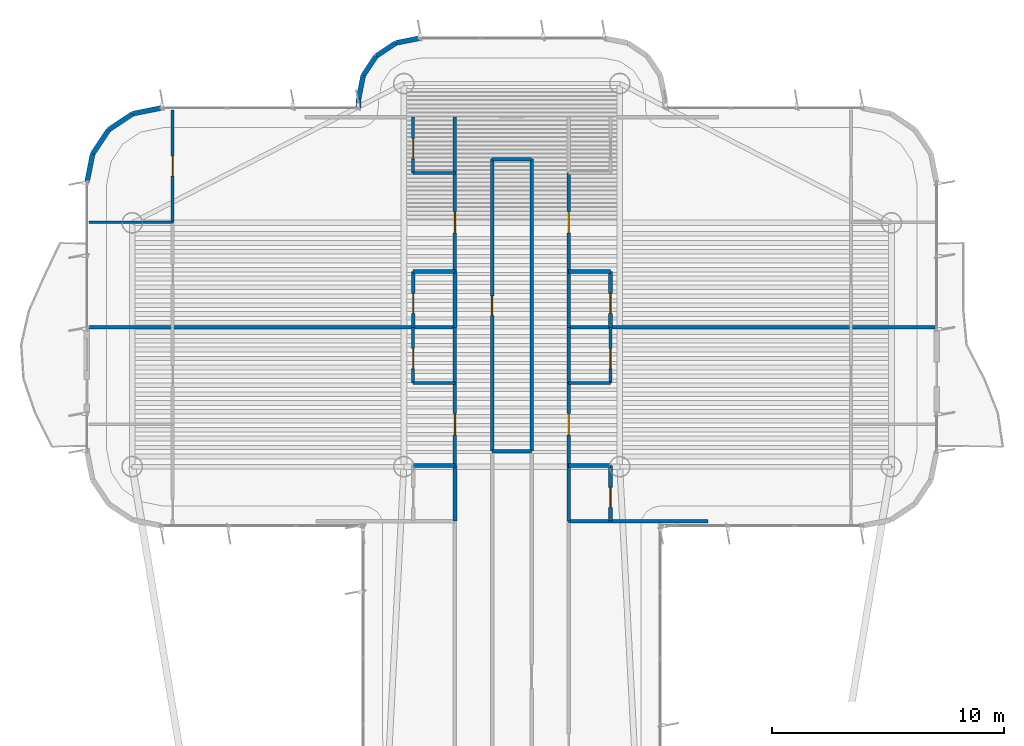
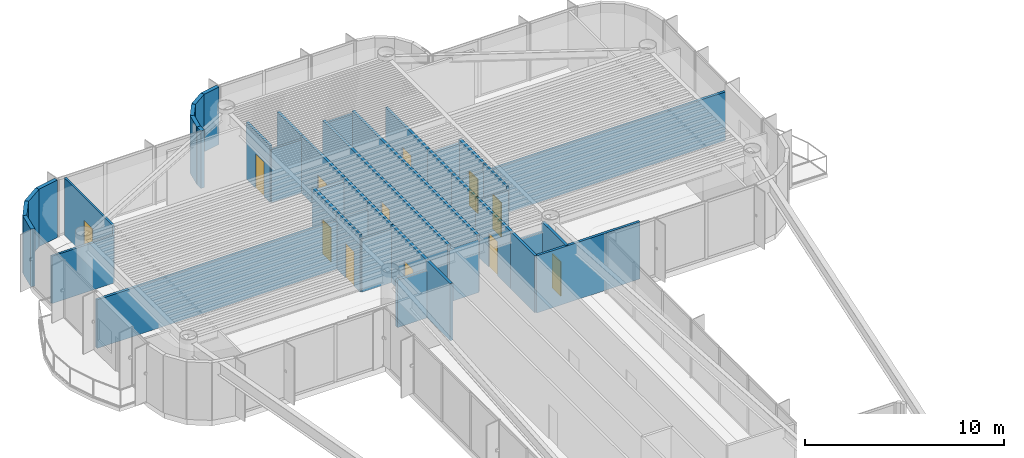
# One storey, part 12 of 16: 42 walls, 12 doors, 12 openings.
"""IFC4 building model written with IfcOpenShell, lengths in metres."""

import ifcopenshell
import ifcopenshell.guid

model = None  # the IFC model being written
_history = None  # IfcOwnerHistory: only IFC2X3 demands one
_inside = {}  # id of a spatial element -> (the spatial element, [elements in it])
_under = {}  # id of a project, library or spatial element -> (it, [spatial elements below it])
_declared = {}  # id of a project -> (the project, [libraries it declares])
_typed = {}  # id of a type object -> (the type object, [elements of that type])
_made_of = {}  # id of a material, layer set ... -> (it, [elements and type objects made of it])


def new_model(schema):
    """Start an empty IFC model of exactly this schema.

    Asked for "IFC4X3", IfcOpenShell would pick the latest addendum, in which some entities
    have other attributes; the version numbers below select the first issue.
    IFC2X3 requires an IfcOwnerHistory on every rooted entity: one is made here for all.
    """
    global model, _history
    if schema == "IFC4X3":
        model = ifcopenshell.file(schema_version=(4, 3, 0, 0))
    else:
        model = ifcopenshell.file(schema=schema)
    _inside.clear()
    _under.clear()
    _declared.clear()
    _typed.clear()
    _made_of.clear()
    _history = None
    if model.schema == "IFC2X3":
        org = make("IfcOrganization", Name="unknown")
        user = make(
            "IfcPersonAndOrganization",
            ThePerson=make("IfcPerson", FamilyName="unknown"),
            TheOrganization=org,
        )
        app = make(
            "IfcApplication",
            ApplicationDeveloper=org,
            Version="unknown",
            ApplicationFullName="unknown",
            ApplicationIdentifier="unknown",
        )
        _history = make(
            "IfcOwnerHistory",
            OwningUser=user,
            OwningApplication=app,
            ChangeAction="ADDED",
            CreationDate=0,
        )
    return model


def make(cls, **values):
    """One entity of the class cls with the attributes given. An attribute that is None is left unset."""
    return model.create_entity(
        cls, **{name: value for name, value in values.items() if value is not None}
    )


def rooted(cls, **values):
    """An entity with a GlobalId (a new one), such as an element, a storey or a relation."""
    return make(cls, GlobalId=ifcopenshell.guid.new(), OwnerHistory=_history, **values)


def si_unit(unit_type, name, prefix=None):
    """IfcSIUnit, for example si_unit("LENGTHUNIT", "METRE", prefix="MILLI")."""
    return make("IfcSIUnit", UnitType=unit_type, Prefix=prefix, Name=name)


def assignment(units):
    """IfcUnitAssignment: the units of a project."""
    return None if units is None else make("IfcUnitAssignment", Units=units)


def point(xyz):
    """IfcCartesianPoint."""
    return None if xyz is None else make("IfcCartesianPoint", Coordinates=xyz)


def direction(xyz):
    """IfcDirection."""
    return None if xyz is None else make("IfcDirection", DirectionRatios=xyz)


def frame(location, z_axis=None, x_axis=None):
    """IfcAxis2Placement3D, a coordinate frame: its origin and axes. An axis left out is left unset."""
    return make(
        "IfcAxis2Placement3D",
        Location=point(location),
        Axis=direction(z_axis),
        RefDirection=direction(x_axis),
    )


def frame_2d(location, x_axis=None):
    """IfcAxis2Placement2D, a coordinate frame in the plane: its origin and x axis."""
    return make(
        "IfcAxis2Placement2D", Location=point(location), RefDirection=direction(x_axis)
    )


def origin():
    """The frame at (0, 0, 0) with its axes left unset."""
    return frame((0.0, 0.0, 0.0))


def origin_2d():
    """The frame at (0, 0) in the plane with its x axis left unset."""
    return frame_2d((0.0, 0.0))


def place(relative_to, where):
    """IfcLocalPlacement: puts the frame where relative to a parent placement (None: the world)."""
    return make(
        "IfcLocalPlacement", PlacementRelTo=relative_to, RelativePlacement=where
    )


def context(
    kind, dimensions, precision=None, world=None, true_north=None, identifier=None
):
    """IfcGeometricRepresentationContext, for example the 3D "Model" context."""
    return make(
        "IfcGeometricRepresentationContext",
        ContextIdentifier=identifier,
        ContextType=kind,
        CoordinateSpaceDimension=dimensions,
        Precision=precision,
        WorldCoordinateSystem=world,
        TrueNorth=true_north,
    )


def subcontext(parent, identifier, kind, view, scale=None):
    """IfcGeometricRepresentationSubContext, for example "Body" below "Model"."""
    return make(
        "IfcGeometricRepresentationSubContext",
        ContextIdentifier=identifier,
        ContextType=kind,
        ParentContext=parent,
        TargetScale=scale,
        TargetView=view,
    )


def project(units=None, contexts=None):
    """IfcProject with its units and contexts."""
    return rooted(
        "IfcProject",
        Name="project",
        RepresentationContexts=contexts,
        UnitsInContext=assignment(units),
    )


def spatial(cls, under=None, at=None, **own):
    """A site, building, storey or space (cls), placed at a placement, below another one or the project."""
    s = rooted(cls, ObjectPlacement=at, **own)
    if under is not None:
        _under.setdefault(under.id(), (under, []))[1].append(s)
    return s


def profile(cls, at=None, kind="AREA", **sizes):
    """A parametric profile (cls). Its sizes go by their IFC names, for example OverallWidth=200.0."""
    return make(cls, ProfileType=kind, Position=at, **sizes)


def rectangle(**sizes):
    """IfcRectangleProfileDef."""
    return profile("IfcRectangleProfileDef", **sizes)


def extrude(swept, where, along, depth):
    """IfcExtrudedAreaSolid: the profile swept, set in the frame where, extruded along a direction by depth."""
    return make(
        "IfcExtrudedAreaSolid",
        SweptArea=swept,
        Position=where,
        ExtrudedDirection=direction(along),
        Depth=depth,
    )


def shape(context_of_items, identifier, shape_type, items):
    """IfcShapeRepresentation: the items that make up one representation, for example the "Body"."""
    return make(
        "IfcShapeRepresentation",
        ContextOfItems=context_of_items,
        RepresentationIdentifier=identifier,
        RepresentationType=shape_type,
        Items=items,
    )


def source(mapping_origin, context_of_items, identifier, shape_type, items):
    """IfcRepresentationMap: a shape defined once, which mapped items show again and again."""
    return make(
        "IfcRepresentationMap",
        MappingOrigin=mapping_origin,
        MappedRepresentation=shape(context_of_items, identifier, shape_type, items),
    )


def transform(
    local_origin,
    x_axis=None,
    y_axis=None,
    z_axis=None,
    scale=None,
    scale2=None,
    scale3=None,
    uniform=True,
):
    """IfcCartesianTransformationOperator3D, or its non-uniform kind. x_axis, y_axis, z_axis: its Axis1, 2, 3."""
    if uniform:
        return make(
            "IfcCartesianTransformationOperator3D",
            Axis1=direction(x_axis),
            Axis2=direction(y_axis),
            LocalOrigin=point(local_origin),
            Scale=scale,
            Axis3=direction(z_axis),
        )
    return make(
        "IfcCartesianTransformationOperator3DnonUniform",
        Axis1=direction(x_axis),
        Axis2=direction(y_axis),
        LocalOrigin=point(local_origin),
        Scale=scale,
        Axis3=direction(z_axis),
        Scale2=scale2,
        Scale3=scale3,
    )


def mapped(mapping_source, mapping_target):
    """IfcMappedItem: shows the shape of a source again, moved by a transform."""
    return make(
        "IfcMappedItem", MappingSource=mapping_source, MappingTarget=mapping_target
    )


def material(Name=None, Category=None):
    """IfcMaterial."""
    return make("IfcMaterial", Name=Name, Category=Category)


def layer(
    of_material, thickness, ventilated=None, Name=None, Category=None, Priority=None
):
    """IfcMaterialLayer: one layer of a wall or slab, of a material (None: an air gap)."""
    return make(
        "IfcMaterialLayer",
        Material=of_material,
        LayerThickness=thickness,
        IsVentilated=ventilated,
        Name=Name,
        Category=Category,
        Priority=Priority,
    )


def layer_set(layers, Name=None):
    """IfcMaterialLayerSet."""
    return make("IfcMaterialLayerSet", MaterialLayers=layers, LayerSetName=Name)


def made_of(thing, what):
    """Note that an element or type object is made of a material, layer set ...; save() writes the relation."""
    if what is not None:
        _made_of.setdefault(what.id(), (what, []))[1].append(thing)
    return thing


def type_object(cls, material=None, **own):
    """A type object (cls), such as IfcWallType, which elements share."""
    return made_of(rooted(cls, **own), material)


def element(
    cls,
    number,
    at=None,
    inside=None,
    cuts=None,
    type_object=None,
    material=None,
    context=None,
    identifier="Body",
    shape_type=None,
    held_by="IfcProductDefinitionShape",
    body=None,
    shapes=None,
    **own,
):
    """One element of the class cls, such as IfcWall. Its Tag is "e" and its number.

    at: its placement. inside: the storey or other place that contains it. cuts: it is an
    opening in that element (IfcRelVoidsElement). A single representation is given by context,
    identifier, shape_type and body (its items); several are given by shapes. held_by: the class
    of the entity that holds the representations. save() writes the other relations.
    """
    e = rooted(cls, Tag="e%d" % number, ObjectPlacement=at, **own)
    if body is not None:
        shapes = [shape(context, identifier, shape_type, body)]
    if shapes is not None:
        e.Representation = make(held_by, Representations=shapes)
    if inside is not None:
        _inside.setdefault(inside.id(), (inside, []))[1].append(e)
    if cuts is not None:
        rooted(
            "IfcRelVoidsElement", RelatingBuildingElement=cuts, RelatedOpeningElement=e
        )
    if type_object is not None:
        _typed.setdefault(type_object.id(), (type_object, []))[1].append(e)
    return made_of(e, material)


def fill(opening, filler):
    """IfcRelFillsElement: the door or window that sits in an opening."""
    return rooted(
        "IfcRelFillsElement",
        RelatingOpeningElement=opening,
        RelatedBuildingElement=filler,
    )


def aggregate(whole, parts):
    """IfcRelAggregates: a whole, such as a stair, and the parts it consists of."""
    return rooted("IfcRelAggregates", RelatingObject=whole, RelatedObjects=parts)


def save(model, path):
    """Write the relations noted so far, then the file.

    IfcRelAggregates (storeys below a building ...), IfcRelContainedInSpatialStructure (elements
    in a storey), IfcRelDefinesByType, IfcRelAssociatesMaterial and IfcRelDeclares: one each for
    every whole, place, type object, material and project.
    """
    for whole, parts in _under.values():
        aggregate(whole, parts)
    for where, things in _inside.values():
        rooted(
            "IfcRelContainedInSpatialStructure",
            RelatedElements=things,
            RelatingStructure=where,
        )
    for kind, things in _typed.values():
        rooted("IfcRelDefinesByType", RelatedObjects=things, RelatingType=kind)
    for what, things in _made_of.values():
        rooted("IfcRelAssociatesMaterial", RelatedObjects=things, RelatingMaterial=what)
    for by, libraries in _declared.values():
        rooted("IfcRelDeclares", RelatingContext=by, RelatedDefinitions=libraries)
    model.write(path)


model = new_model("IFC4")

# Units and contexts
model_context = context("Model", 3, precision=1e-05, world=origin(), true_north=direction((0.0, 1.0)))
body_context = subcontext(model_context, "Body", "Model", "MODEL_VIEW")
ifc_project = project(units=[si_unit("LENGTHUNIT", "METRE"), si_unit("AREAUNIT", "SQUARE_METRE"), si_unit("VOLUMEUNIT", "CUBIC_METRE"), si_unit("PLANEANGLEUNIT", "RADIAN"), si_unit("MASSUNIT", "GRAM", prefix="KILO")], contexts=[model_context])

# Site, building, storey
site_placement = place(None, origin())
site = spatial("IfcSite", under=ifc_project, at=site_placement, CompositionType="ELEMENT")
building_placement = place(site_placement, origin())
building = spatial("IfcBuilding", under=site, at=building_placement, Name="Brelvock Crest Care Tower", CompositionType="ELEMENT")
storey_placement = place(building_placement, frame((0.0, 0.0, 223.02001953125)))
storey = spatial("IfcBuildingStorey", under=building, at=storey_placement, Name="L56", CompositionType="ELEMENT", Elevation=223.02001953125)

# Walls
ifc_material_1 = material(Name="Precast concrete N40 (40 MPa)", Category="concrete")
ifc_layer_1 = layer(ifc_material_1, 0.215087890625, Name="WL-EX2")
ifc_layer_set_1 = layer_set([ifc_layer_1], Name="Precast concrete N40 (40 MPa)")
wall_type_1 = type_object("IfcWallType", Name="WL-EX2", PredefinedType="SOLIDWALL", material=ifc_layer_set_1)
for number, where, z_axis, x_axis, name in (
    (1, (17.699951171875, 56.199951171875, 0.0), (0.0, 0.0, 1.0), (0.195138390419, 0.980775717779, 0.0), "L56 Rounded Corner Wall 18"),
    (2, (17.943603515625, 57.424560546875, 0.0), (0.0, 0.0, 1.0), (0.555557312883, 0.831478245117, 0.0), "L56 Rounded Corner Wall 19"),
    (3, (18.63720703125, 58.462646484375, 0.0), (0.0, 0.0, 1.0), (0.831387912822, 0.555692485475, 0.0), "L56 Rounded Corner Wall 20"),
    (4, (19.67529296875, 59.156494140625, 0.0), (0.0, 0.0, 1.0), (0.980813122964, 0.194950295773, 0.0), "L56 Rounded Corner Wall 21"),
):
    element("IfcWall", number, at=place(storey_placement, frame(where, z_axis=z_axis, x_axis=x_axis)), inside=storey, type_object=wall_type_1, Name=name, PredefinedType="SOLIDWALL", context=body_context, shape_type="SweptSolid", body=[
        extrude(rectangle(XDim=1.24853515625, YDim=0.215087890625, at=frame_2d((0.624267578125, 0.0))), origin(), (0.0, 0.0, 1.0), 3.530029296875),
    ])
wall_1_placement = place(storey_placement, frame((29.39990234375, 59.39990234375, 0.0), z_axis=(0.0, 0.0, 1.0), x_axis=(0.0, 1.0, 0.0)))
element("IfcWall", 5, at=wall_1_placement, inside=storey, type_object=wall_type_1, Name="L56 Rounded Corner Wall 23", PredefinedType="SOLIDWALL", context=body_context, shape_type="SweptSolid", body=[
    extrude(rectangle(XDim=0.400146484375, YDim=0.215087890625, at=frame_2d((0.2001953125, 0.0))), origin(), (0.0, 0.0, 1.0), 3.530029296875),
])
wall_2_placement = place(storey_placement, frame((29.39990234375, 59.800048828125, 0.0), z_axis=(0.0, 0.0, 1.0), x_axis=(0.195190360752, 0.980765376158, 0.0)))
element("IfcWall", 6, at=wall_2_placement, inside=storey, type_object=wall_type_1, Name="L56 Rounded Corner Wall 24", PredefinedType="SOLIDWALL", context=body_context, shape_type="SweptSolid", body=[
    extrude(rectangle(XDim=1.014404296875, YDim=0.215087890625, at=frame_2d((0.50732421875, 0.0))), origin(), (0.0, 0.0, 1.0), 3.530029296875),
])
wall_3_placement = place(storey_placement, frame((29.597900390625, 60.794921875, 0.0), z_axis=(0.0, 0.0, 1.0), x_axis=(0.555643898837, 0.831420385657, 0.0)))
element("IfcWall", 7, at=wall_3_placement, inside=storey, type_object=wall_type_1, Name="L56 Rounded Corner Wall 25", PredefinedType="SOLIDWALL", context=body_context, shape_type="SweptSolid", body=[
    extrude(rectangle(XDim=1.0146484375, YDim=0.215087890625, at=frame_2d((0.50732421875, 0.0))), origin(), (0.0, 0.0, 1.0), 3.530029296875),
])
wall_4_placement = place(storey_placement, frame((30.16162109375, 61.638427734375, 0.0), z_axis=(0.0, 0.0, 1.0), x_axis=(0.831346067305, 0.555755086685, 0.0)))
element("IfcWall", 8, at=wall_4_placement, inside=storey, type_object=wall_type_1, Name="L56 Rounded Corner Wall 26", PredefinedType="SOLIDWALL", context=body_context, shape_type="SweptSolid", body=[
    extrude(rectangle(XDim=1.014404296875, YDim=0.215087890625, at=frame_2d((0.50732421875, 0.0))), origin(), (0.0, 0.0, 1.0), 3.530029296875),
])
wall_5_placement = place(storey_placement, frame((31.0048828125, 62.2021484375, 0.0), z_axis=(0.0, 0.0, 1.0), x_axis=(0.980820570666, 0.194912821943, 0.0)))
element("IfcWall", 9, at=wall_5_placement, inside=storey, type_object=wall_type_1, Name="L56 Rounded Corner Wall 27", PredefinedType="SOLIDWALL", context=body_context, shape_type="SweptSolid", body=[
    extrude(rectangle(XDim=1.0146484375, YDim=0.215087890625, at=frame_2d((0.50732421875, 0.0))), origin(), (0.0, 0.0, 1.0), 3.530029296875),
])
ifc_material_2 = material(Name="Masonry Blockwork Acoustic Partition", Category="masonry")
ifc_layer_2 = layer(ifc_material_2, 0.14990234375, Name="WL-INT1")
ifc_layer_set_2 = layer_set([ifc_layer_2], Name="Masonry Blockwork Acoustic Partition")
wall_type_2 = type_object("IfcWallType", Name="WL-INT1", PredefinedType="PARTITIONING", material=ifc_layer_set_2)
wall_6_placement = place(storey_placement, frame((38.449951171875, 41.60009765625, 0.0), z_axis=(0.0, 0.0, 1.0), x_axis=(1.0, 0.0, 0.0)))
element("IfcWall", 10, at=wall_6_placement, inside=storey, type_object=wall_type_2, Name="L56 Interior Wall WL-BX-L56-FL-EF1-S", PredefinedType="PARTITIONING", context=body_context, shape_type="SweptSolid", body=[
    extrude(rectangle(XDim=5.993408203125, YDim=0.14990234375, at=frame_2d((2.99658203125, 0.0))), origin(), (0.0, 0.0, 1.0), 3.5),
])
wall_7_placement = place(storey_placement, frame((35.14990234375, 44.6201171875, 0.0), z_axis=(0.0, 0.0, 1.0), x_axis=(1.0, 0.0, 0.0)))
element("IfcWall", 11, at=wall_7_placement, inside=storey, type_object=wall_type_2, Name="L56 Interior Wall WL-BX-L56-ISKT-S", PredefinedType="PARTITIONING", context=body_context, shape_type="SweptSolid", body=[
    extrude(rectangle(XDim=1.7001953125, YDim=0.14990234375, at=frame_2d((0.85009765625, 0.0))), origin(), (0.0, 0.0, 1.0), 3.259033203125),
])
for number, where, z_axis, x_axis, name in (
    (12, (17.780029296875, 49.951904296875, 0.0), (0.0, 0.0, 1.0), (1.0, 0.0, 0.0), "L56 Interior Wall WL-BX-L56-FL-WF1-N"),
    (13, (38.449951171875, 49.951904296875, 0.0), (0.0, 0.0, 1.0), (1.0, 0.0, 0.0), "L56 Interior Wall WL-BX-L56-FL-EF1-N"),
):
    element("IfcWall", number, at=place(storey_placement, frame(where, z_axis=z_axis, x_axis=x_axis)), inside=storey, type_object=wall_type_2, Name=name, PredefinedType="PARTITIONING", context=body_context, shape_type="SweptSolid", body=[
        extrude(rectangle(XDim=15.77001953125, YDim=0.14990234375, at=frame_2d((7.885009765625, 0.0))), origin(), (0.0, 0.0, 1.0), 2.98193359375),
    ])
wall_8_placement = place(storey_placement, frame((35.14990234375, 57.199951171875, 0.0), z_axis=(0.0, 0.0, 1.0), x_axis=(1.0, 0.0, 0.0)))
element("IfcWall", 14, at=wall_8_placement, inside=storey, type_object=wall_type_2, Name="L56 Interior Wall WL-BX-L56-ISKT-N", PredefinedType="PARTITIONING", context=body_context, shape_type="SweptSolid", body=[
    extrude(rectangle(XDim=1.7001953125, YDim=0.14990234375, at=frame_2d((0.85009765625, 0.0))), origin(), (0.0, 0.0, 1.0), 3.307861328125),
])

# Wall, opening, door
wall_9_placement = place(storey_placement, frame((33.550048828125, 44.0, 0.0), z_axis=(0.0, 0.0, 1.0), x_axis=(0.0, 1.0, 0.0)))
wall_9 = element("IfcWall", 15, at=wall_9_placement, inside=storey, type_object=wall_type_2, Name="L56 Interior Wall WL-UENT-L56-WF1", PredefinedType="PARTITIONING", context=body_context, shape_type="SweptSolid", body=[
    extrude(rectangle(XDim=3.552001953125, YDim=0.14990234375, at=frame_2d((1.77587890625, 0.0))), origin(), (0.0, 0.0, 1.0), 3.5),
])
opening_1_placement = place(wall_9_placement, frame((1.31591796875, 0.0, 0.0)))
opening_1 = element("IfcOpeningElement", 16, at=opening_1_placement, cuts=wall_9, Name="Opening AD-1", PredefinedType="OPENING", context=body_context, shape_type="SweptSolid", body=[
    extrude(rectangle(XDim=0.919921875, YDim=2.10009765625, at=origin_2d()), frame((0.4599609375, 0.0849609375, 1.050048828125), z_axis=(0.0, -1.0, 0.0), x_axis=(1.0, 0.0, 0.0)), (0.0, 0.0, 1.0), 0.169921875),
])
ifc_material_3 = material(Name="Engineered Hardwood Timber", Category="wood")
door_type_1 = type_object("IfcDoorType", Name="DR-APT1", OperationType="NOTDEFINED", PredefinedType="DOOR", material=ifc_material_3)
shared_shape_1 = source(origin(), body_context, "Body", "SweptSolid", [
    extrude(rectangle(XDim=0.919921875, YDim=2.10009765625, at=origin_2d()), frame((0.4599609375, 0.02490234375, 1.050048828125), z_axis=(0.0, -1.0, 0.0), x_axis=(1.0, 0.0, 0.0)), (0.0, 0.0, 1.0), 0.050048828125),
])
door_1_placement = place(opening_1_placement, origin())
door_1 = element("IfcDoor", 17, at=door_1_placement, inside=storey, type_object=door_type_1, Name="L56 Apartment Entrance WF1", OperationType="SINGLE_SWING_LEFT", OverallHeight=2.10009765625, OverallWidth=0.919921875, PredefinedType="DOOR", context=body_context, shape_type="MappedRepresentation", body=[
    mapped(shared_shape_1, transform((0.0, 0.0, 0.0), x_axis=(1.0, 0.0, 0.0), y_axis=(0.0, 1.0, 0.0), z_axis=(0.0, 0.0, 1.0), scale=1.0)),
])
fill(opening_1, door_1)

# Wall
wall_10_placement = place(storey_placement, frame((33.550048828125, 47.552001953125, 0.0), z_axis=(0.0, 0.0, 1.0), x_axis=(0.0, 1.0, 0.0)))
element("IfcWall", 18, at=wall_10_placement, inside=storey, type_object=wall_type_2, Name="L56 Interior Wall WL-UCK-L56-WF1", PredefinedType="PARTITIONING", context=body_context, shape_type="SweptSolid", body=[
    extrude(rectangle(XDim=2.39990234375, YDim=0.14990234375, at=frame_2d((1.199951171875, 0.0))), origin(), (0.0, 0.0, 1.0), 3.5),
])

# Wall, opening, door
wall_11_placement = place(storey_placement, frame((33.550048828125, 52.35205078125, 0.0), z_axis=(0.0, 0.0, 1.0), x_axis=(0.0, 1.0, 0.0)))
wall_11 = element("IfcWall", 19, at=wall_11_placement, inside=storey, type_object=wall_type_2, Name="L56 Interior Wall WL-UENT-L56-WF2", PredefinedType="PARTITIONING", context=body_context, shape_type="SweptSolid", body=[
    extrude(rectangle(XDim=4.248046875, YDim=0.14990234375, at=frame_2d((2.1240234375, 0.0))), origin(), (0.0, 0.0, 1.0), 3.5),
])
opening_2_placement = place(wall_11_placement, frame((1.6640625, 0.0, 0.0)))
opening_2 = element("IfcOpeningElement", 20, at=opening_2_placement, cuts=wall_11, Name="Opening AD-1", PredefinedType="OPENING", context=body_context, shape_type="SweptSolid", body=[
    extrude(rectangle(XDim=0.919921875, YDim=2.10009765625, at=origin_2d()), frame((0.4599609375, 0.0849609375, 1.050048828125), z_axis=(0.0, -1.0, 0.0), x_axis=(1.0, 0.0, 0.0)), (0.0, 0.0, 1.0), 0.169921875),
])
door_2_placement = place(opening_2_placement, origin())
door_2 = element("IfcDoor", 21, at=door_2_placement, inside=storey, type_object=door_type_1, Name="L56 Apartment Entrance WF2", OperationType="SINGLE_SWING_LEFT", OverallHeight=2.10009765625, OverallWidth=0.919921875, PredefinedType="DOOR", context=body_context, shape_type="MappedRepresentation", body=[
    mapped(shared_shape_1, transform((0.0, 0.0, 0.0), x_axis=(1.0, 0.0, 0.0), y_axis=(0.0, 1.0, 0.0), z_axis=(0.0, 0.0, 1.0), scale=1.0)),
])
fill(opening_2, door_2)

# Wall
wall_12_placement = place(storey_placement, frame((33.550048828125, 56.60009765625, 0.0), z_axis=(0.0, 0.0, 1.0), x_axis=(0.0, 1.0, 0.0)))
element("IfcWall", 22, at=wall_12_placement, inside=storey, type_object=wall_type_2, Name="L56 Interior Wall WL-UCK-L56-WF2", PredefinedType="PARTITIONING", context=body_context, shape_type="SweptSolid", body=[
    extrude(rectangle(XDim=2.39990234375, YDim=0.14990234375, at=frame_2d((1.199951171875, 0.0))), origin(), (0.0, 0.0, 1.0), 3.5),
])

# Wall, opening, door
wall_13_placement = place(storey_placement, frame((35.14990234375, 44.6201171875, 0.0), z_axis=(0.0, 0.0, 1.0), x_axis=(0.0, 1.0, 0.0)))
wall_13 = element("IfcWall", 23, at=wall_13_placement, inside=storey, type_object=wall_type_2, Name="L56 Interior Wall WL-RM-L56-ISKT", PredefinedType="PARTITIONING", context=body_context, shape_type="SweptSolid", body=[
    extrude(rectangle(XDim=12.579833984375, YDim=0.14990234375, at=frame_2d((6.2900390625, 0.0))), origin(), (0.0, 0.0, 1.0), 3.5),
])
opening_3_placement = place(wall_13_placement, frame((5.830078125, 0.0, 0.0)))
opening_3 = element("IfcOpeningElement", 24, at=opening_3_placement, cuts=wall_13, Name="Opening ID-1", PredefinedType="OPENING", context=body_context, shape_type="SweptSolid", body=[
    extrude(rectangle(XDim=0.860107421875, YDim=2.10009765625, at=origin_2d()), frame((0.43017578125, 0.0849609375, 1.050048828125), z_axis=(0.0, -1.0, 0.0), x_axis=(1.0, 0.0, 0.0)), (0.0, 0.0, 1.0), 0.169921875),
])
door_type_2 = type_object("IfcDoorType", Name="DR-INT1", OperationType="NOTDEFINED", PredefinedType="DOOR", material=ifc_material_3)
shared_shape_2 = source(origin(), body_context, "Body", "SweptSolid", [
    extrude(rectangle(XDim=0.860107421875, YDim=2.10009765625, at=origin_2d()), frame((0.43017578125, 0.02490234375, 1.050048828125), z_axis=(0.0, -1.0, 0.0), x_axis=(1.0, 0.0, 0.0)), (0.0, 0.0, 1.0), 0.050048828125),
])
door_3_placement = place(opening_3_placement, origin())
door_3 = element("IfcDoor", 25, at=door_3_placement, inside=storey, type_object=door_type_2, Name="L56 Communal Tea and Nutrition Pantry Door ISKT", OperationType="SINGLE_SWING_LEFT", OverallHeight=2.10009765625, OverallWidth=0.860107421875, PredefinedType="DOOR", context=body_context, shape_type="MappedRepresentation", body=[
    mapped(shared_shape_2, transform((0.0, 0.0, 0.0), x_axis=(1.0, 0.0, 0.0), y_axis=(0.0, 1.0, 0.0), z_axis=(0.0, 0.0, 1.0), scale=1.0)),
])
fill(opening_3, door_3)

# Wall
wall_14_placement = place(storey_placement, frame((36.85009765625, 44.6201171875, 0.0), z_axis=(0.0, 0.0, 1.0), x_axis=(0.0, 1.0, 0.0)))
element("IfcWall", 26, at=wall_14_placement, inside=storey, type_object=wall_type_2, Name="L56 Interior Wall WL-BX-L56-ISKT-E", PredefinedType="PARTITIONING", context=body_context, shape_type="SweptSolid", body=[
    extrude(rectangle(XDim=12.579833984375, YDim=0.14990234375, at=frame_2d((6.2900390625, 0.0))), origin(), (0.0, 0.0, 1.0), 3.5),
])

# Wall, opening, door
wall_15_placement = place(storey_placement, frame((38.449951171875, 44.0, 0.0), z_axis=(0.0, 0.0, 1.0), x_axis=(0.0, 1.0, 0.0)))
wall_15 = element("IfcWall", 27, at=wall_15_placement, inside=storey, type_object=wall_type_2, Name="L56 Interior Wall WL-UENT-L56-EF1", PredefinedType="PARTITIONING", context=body_context, shape_type="SweptSolid", body=[
    extrude(rectangle(XDim=3.552001953125, YDim=0.14990234375, at=frame_2d((1.77587890625, 0.0))), origin(), (0.0, 0.0, 1.0), 3.5),
])
opening_4_placement = place(wall_15_placement, frame((1.31591796875, 0.0, 0.0)))
opening_4 = element("IfcOpeningElement", 28, at=opening_4_placement, cuts=wall_15, Name="Opening AD-1", PredefinedType="OPENING", context=body_context, shape_type="SweptSolid", body=[
    extrude(rectangle(XDim=0.919921875, YDim=2.10009765625, at=origin_2d()), frame((0.4599609375, 0.0849609375, 1.050048828125), z_axis=(0.0, -1.0, 0.0), x_axis=(1.0, 0.0, 0.0)), (0.0, 0.0, 1.0), 0.169921875),
])
door_4_placement = place(opening_4_placement, origin())
door_4 = element("IfcDoor", 29, at=door_4_placement, inside=storey, type_object=door_type_1, Name="L56 Apartment Entrance EF1", OperationType="SINGLE_SWING_LEFT", OverallHeight=2.10009765625, OverallWidth=0.919921875, PredefinedType="DOOR", context=body_context, shape_type="MappedRepresentation", body=[
    mapped(shared_shape_1, transform((0.0, 0.0, 0.0), x_axis=(1.0, 0.0, 0.0), y_axis=(0.0, 1.0, 0.0), z_axis=(0.0, 0.0, 1.0), scale=1.0)),
])
fill(opening_4, door_4)

# Wall
wall_16_placement = place(storey_placement, frame((38.449951171875, 47.552001953125, 0.0), z_axis=(0.0, 0.0, 1.0), x_axis=(0.0, 1.0, 0.0)))
element("IfcWall", 30, at=wall_16_placement, inside=storey, type_object=wall_type_2, Name="L56 Interior Wall WL-UCK-L56-EF1", PredefinedType="PARTITIONING", context=body_context, shape_type="SweptSolid", body=[
    extrude(rectangle(XDim=2.39990234375, YDim=0.14990234375, at=frame_2d((1.199951171875, 0.0))), origin(), (0.0, 0.0, 1.0), 3.5),
])

# Wall, opening, door
wall_17_placement = place(storey_placement, frame((38.449951171875, 52.35205078125, 0.0), z_axis=(0.0, 0.0, 1.0), x_axis=(0.0, 1.0, 0.0)))
wall_17 = element("IfcWall", 31, at=wall_17_placement, inside=storey, type_object=wall_type_2, Name="L56 Interior Wall WL-UENT-L56-EF2", PredefinedType="PARTITIONING", context=body_context, shape_type="SweptSolid", body=[
    extrude(rectangle(XDim=4.248046875, YDim=0.14990234375, at=frame_2d((2.1240234375, 0.0))), origin(), (0.0, 0.0, 1.0), 3.5),
])
opening_5_placement = place(wall_17_placement, frame((1.6640625, 0.0, 0.0)))
opening_5 = element("IfcOpeningElement", 32, at=opening_5_placement, cuts=wall_17, Name="Opening AD-1", PredefinedType="OPENING", context=body_context, shape_type="SweptSolid", body=[
    extrude(rectangle(XDim=0.919921875, YDim=2.10009765625, at=origin_2d()), frame((0.4599609375, 0.0849609375, 1.050048828125), z_axis=(0.0, -1.0, 0.0), x_axis=(1.0, 0.0, 0.0)), (0.0, 0.0, 1.0), 0.169921875),
])
door_5_placement = place(opening_5_placement, origin())
door_5 = element("IfcDoor", 33, at=door_5_placement, inside=storey, type_object=door_type_1, Name="L56 Apartment Entrance EF2", OperationType="SINGLE_SWING_LEFT", OverallHeight=2.10009765625, OverallWidth=0.919921875, PredefinedType="DOOR", context=body_context, shape_type="MappedRepresentation", body=[
    mapped(shared_shape_1, transform((0.0, 0.0, 0.0), x_axis=(1.0, 0.0, 0.0), y_axis=(0.0, 1.0, 0.0), z_axis=(0.0, 0.0, 1.0), scale=1.0)),
])
fill(opening_5, door_5)

# Walls
ifc_material_4 = material(Name="Gypsum Plasterboard Partition", Category="gypsum")
ifc_layer_3 = layer(ifc_material_4, 0.1201171875, Name="WL-INT2")
ifc_layer_set_3 = layer_set([ifc_layer_3], Name="Gypsum Plasterboard Partition")
wall_type_3 = type_object("IfcWallType", Name="WL-INT2", PredefinedType="PARTITIONING", material=ifc_layer_set_3)
for number, where, z_axis, x_axis, name in (
    (34, (31.75, 47.552001953125, 0.0), (0.0, 0.0, 1.0), (1.0, 0.0, 0.0), "L56 Interior Wall WL-UKIT2-L56-WF1"),
    (35, (38.449951171875, 47.552001953125, 0.0), (0.0, 0.0, 1.0), (1.0, 0.0, 0.0), "L56 Interior Wall WL-UKIT2-L56-EF1"),
):
    element("IfcWall", number, at=place(storey_placement, frame(where, z_axis=z_axis, x_axis=x_axis)), inside=storey, type_object=wall_type_3, Name=name, PredefinedType="PARTITIONING", context=body_context, shape_type="SweptSolid", body=[
        extrude(rectangle(XDim=1.800048828125, YDim=0.1201171875, at=frame_2d((0.89990234375, 0.0))), origin(), (0.0, 0.0, 1.0), 3.259033203125),
    ])
wall_18_placement = place(storey_placement, frame((17.780029296875, 54.47607421875, 0.0), z_axis=(0.0, 0.0, 1.0), x_axis=(1.0, 0.0, 0.0)))
element("IfcWall", 36, at=wall_18_placement, inside=storey, type_object=wall_type_3, Name="L56 Interior Wall WL-UBSP-L56-WF2", PredefinedType="PARTITIONING", context=body_context, shape_type="SweptSolid", body=[
    extrude(rectangle(XDim=3.60986328125, YDim=0.1201171875, at=frame_2d((1.804931640625, 0.0))), origin(), (0.0, 0.0, 1.0), 2.903076171875),
])
wall_19_placement = place(storey_placement, frame((31.75, 56.60009765625, 0.0), z_axis=(0.0, 0.0, 1.0), x_axis=(1.0, 0.0, 0.0)))
element("IfcWall", 37, at=wall_19_placement, inside=storey, type_object=wall_type_3, Name="L56 Interior Wall WL-UKIT2-L56-WF2", PredefinedType="PARTITIONING", context=body_context, shape_type="SweptSolid", body=[
    extrude(rectangle(XDim=1.800048828125, YDim=0.1201171875, at=frame_2d((0.89990234375, 0.0))), origin(), (0.0, 0.0, 1.0), 3.259033203125),
])

# Wall, opening, door
wall_20_placement = place(storey_placement, frame((21.389892578125, 54.47607421875, 0.0), z_axis=(0.0, 0.0, 1.0), x_axis=(0.0, 1.0, 0.0)))
wall_20 = element("IfcWall", 38, at=wall_20_placement, inside=storey, type_object=wall_type_3, Name="L56 Interior Wall WL-UBD2-L56-WF2", PredefinedType="PARTITIONING", context=body_context, shape_type="SweptSolid", body=[
    extrude(rectangle(XDim=4.84423828125, YDim=0.1201171875, at=frame_2d((2.422119140625, 0.0))), origin(), (0.0, 0.0, 1.0), 3.5),
])
opening_6_placement = place(wall_20_placement, frame((1.991943359375, 0.0, 0.0)))
opening_6 = element("IfcOpeningElement", 39, at=opening_6_placement, cuts=wall_20, Name="Opening ID-1", PredefinedType="OPENING", context=body_context, shape_type="SweptSolid", body=[
    extrude(rectangle(XDim=0.860107421875, YDim=2.10009765625, at=origin_2d()), frame((0.43017578125, 0.070068359375, 1.050048828125), z_axis=(0.0, -1.0, 0.0), x_axis=(1.0, 0.0, 0.0)), (0.0, 0.0, 1.0), 0.14013671875),
])
door_6_placement = place(opening_6_placement, origin())
door_6 = element("IfcDoor", 40, at=door_6_placement, inside=storey, type_object=door_type_2, Name="L56 Second Room Door WF2", OperationType="SINGLE_SWING_LEFT", OverallHeight=2.10009765625, OverallWidth=0.860107421875, PredefinedType="DOOR", context=body_context, shape_type="MappedRepresentation", body=[
    mapped(shared_shape_2, transform((0.0, 0.0, 0.0), x_axis=(1.0, 0.0, 0.0), y_axis=(0.0, 1.0, 0.0), z_axis=(0.0, 0.0, 1.0), scale=1.0)),
])
fill(opening_6, door_6)

wall_21_placement = place(storey_placement, frame((31.75, 47.552001953125, 0.0), z_axis=(0.0, 0.0, 1.0), x_axis=(0.0, 1.0, 0.0)))
wall_21 = element("IfcWall", 41, at=wall_21_placement, inside=storey, type_object=wall_type_3, Name="L56 Interior Wall WL-UKIT1-L56-WF1", PredefinedType="PARTITIONING", context=body_context, shape_type="SweptSolid", body=[
    extrude(rectangle(XDim=2.39990234375, YDim=0.1201171875, at=frame_2d((1.199951171875, 0.0))), origin(), (0.0, 0.0, 1.0), 3.5),
])
opening_7_placement = place(wall_21_placement, frame((0.6201171875, 0.0, 0.0)))
opening_7 = element("IfcOpeningElement", 42, at=opening_7_placement, cuts=wall_21, Name="Opening ID-1", PredefinedType="OPENING", context=body_context, shape_type="SweptSolid", body=[
    extrude(rectangle(XDim=0.860107421875, YDim=2.10009765625, at=origin_2d()), frame((0.43017578125, 0.070068359375, 1.050048828125), z_axis=(0.0, -1.0, 0.0), x_axis=(1.0, 0.0, 0.0)), (0.0, 0.0, 1.0), 0.14013671875),
])
door_7_placement = place(opening_7_placement, origin())
door_7 = element("IfcDoor", 43, at=door_7_placement, inside=storey, type_object=door_type_2, Name="L56 Kitchen Door WF1", OperationType="SINGLE_SWING_LEFT", OverallHeight=2.10009765625, OverallWidth=0.860107421875, PredefinedType="DOOR", context=body_context, shape_type="MappedRepresentation", body=[
    mapped(shared_shape_2, transform((0.0, 0.0, 0.0), x_axis=(1.0, 0.0, 0.0), y_axis=(0.0, 1.0, 0.0), z_axis=(0.0, 0.0, 1.0), scale=1.0)),
])
fill(opening_7, door_7)

wall_22_placement = place(storey_placement, frame((31.75, 56.60009765625, 0.0), z_axis=(0.0, 0.0, 1.0), x_axis=(0.0, 1.0, 0.0)))
wall_22 = element("IfcWall", 44, at=wall_22_placement, inside=storey, type_object=wall_type_3, Name="L56 Interior Wall WL-UKIT1-L56-WF2", PredefinedType="PARTITIONING", context=body_context, shape_type="SweptSolid", body=[
    extrude(rectangle(XDim=2.39990234375, YDim=0.1201171875, at=frame_2d((1.199951171875, 0.0))), origin(), (0.0, 0.0, 1.0), 3.5),
])
opening_8_placement = place(wall_22_placement, frame((0.6201171875, 0.0, 0.0)))
opening_8 = element("IfcOpeningElement", 45, at=opening_8_placement, cuts=wall_22, Name="Opening ID-1", PredefinedType="OPENING", context=body_context, shape_type="SweptSolid", body=[
    extrude(rectangle(XDim=0.860107421875, YDim=2.10009765625, at=origin_2d()), frame((0.43017578125, 0.070068359375, 1.050048828125), z_axis=(0.0, -1.0, 0.0), x_axis=(1.0, 0.0, 0.0)), (0.0, 0.0, 1.0), 0.14013671875),
])
door_8_placement = place(opening_8_placement, origin())
door_8 = element("IfcDoor", 46, at=door_8_placement, inside=storey, type_object=door_type_2, Name="L56 Kitchen Door WF2", OperationType="SINGLE_SWING_LEFT", OverallHeight=2.10009765625, OverallWidth=0.860107421875, PredefinedType="DOOR", context=body_context, shape_type="MappedRepresentation", body=[
    mapped(shared_shape_2, transform((0.0, 0.0, 0.0), x_axis=(1.0, 0.0, 0.0), y_axis=(0.0, 1.0, 0.0), z_axis=(0.0, 0.0, 1.0), scale=1.0)),
])
fill(opening_8, door_8)

wall_23_placement = place(storey_placement, frame((40.25, 47.552001953125, 0.0), z_axis=(0.0, 0.0, 1.0), x_axis=(0.0, 1.0, 0.0)))
wall_23 = element("IfcWall", 47, at=wall_23_placement, inside=storey, type_object=wall_type_3, Name="L56 Interior Wall WL-UKIT1-L56-EF1", PredefinedType="PARTITIONING", context=body_context, shape_type="SweptSolid", body=[
    extrude(rectangle(XDim=2.39990234375, YDim=0.1201171875, at=frame_2d((1.199951171875, 0.0))), origin(), (0.0, 0.0, 1.0), 3.5),
])
opening_9_placement = place(wall_23_placement, frame((0.6201171875, 0.0, 0.0)))
opening_9 = element("IfcOpeningElement", 48, at=opening_9_placement, cuts=wall_23, Name="Opening ID-1", PredefinedType="OPENING", context=body_context, shape_type="SweptSolid", body=[
    extrude(rectangle(XDim=0.860107421875, YDim=2.10009765625, at=origin_2d()), frame((0.43017578125, 0.070068359375, 1.050048828125), z_axis=(0.0, -1.0, 0.0), x_axis=(1.0, 0.0, 0.0)), (0.0, 0.0, 1.0), 0.14013671875),
])
door_9_placement = place(opening_9_placement, origin())
door_9 = element("IfcDoor", 49, at=door_9_placement, inside=storey, type_object=door_type_2, Name="L56 Kitchen Door EF1", OperationType="SINGLE_SWING_RIGHT", OverallHeight=2.10009765625, OverallWidth=0.860107421875, PredefinedType="DOOR", context=body_context, shape_type="MappedRepresentation", body=[
    mapped(shared_shape_2, transform((0.0, 0.0, 0.0), x_axis=(1.0, 0.0, 0.0), y_axis=(0.0, 1.0, 0.0), z_axis=(0.0, 0.0, 1.0), scale=1.0)),
])
fill(opening_9, door_9)

# Walls
ifc_layer_4 = layer(ifc_material_4, 0.159912109375, Name="WL-PLM1")
ifc_layer_set_4 = layer_set([ifc_layer_4], Name="Gypsum Plasterboard Partition")
wall_type_4 = type_object("IfcWallType", Name="WL-PLM1", PredefinedType="PLUMBINGWALL", material=ifc_layer_set_4)
for number, where, z_axis, x_axis, name in (
    (50, (31.75, 44.0, 0.0), (0.0, 0.0, 1.0), (1.0, 0.0, 0.0), "L56 Interior Wall WL-UBTH2-L56-WF1"),
    (51, (38.449951171875, 44.0, 0.0), (0.0, 0.0, 1.0), (1.0, 0.0, 0.0), "L56 Interior Wall WL-UBTH2-L56-EF1"),
):
    element("IfcWall", number, at=place(storey_placement, frame(where, z_axis=z_axis, x_axis=x_axis)), inside=storey, type_object=wall_type_4, Name=name, PredefinedType="PLUMBINGWALL", context=body_context, shape_type="SweptSolid", body=[
        extrude(rectangle(XDim=1.800048828125, YDim=0.159912109375, at=frame_2d((0.89990234375, 0.0))), origin(), (0.0, 0.0, 1.0), 2.903076171875),
    ])
for number, where, z_axis, x_axis, name in (
    (52, (31.75, 52.35205078125, 0.0), (0.0, 0.0, 1.0), (1.0, 0.0, 0.0), "L56 Interior Wall WL-UBTH2-L56-WF2"),
    (53, (38.449951171875, 52.35205078125, 0.0), (0.0, 0.0, 1.0), (1.0, 0.0, 0.0), "L56 Interior Wall WL-UBTH2-L56-EF2"),
):
    element("IfcWall", number, at=place(storey_placement, frame(where, z_axis=z_axis, x_axis=x_axis)), inside=storey, type_object=wall_type_4, Name=name, PredefinedType="PLUMBINGWALL", context=body_context, shape_type="SweptSolid", body=[
        extrude(rectangle(XDim=1.800048828125, YDim=0.159912109375, at=frame_2d((0.89990234375, 0.0))), origin(), (0.0, 0.0, 1.0), 3.259033203125),
    ])

# Wall, opening, door
wall_24_placement = place(storey_placement, frame((31.75, 49.951904296875, 0.0), z_axis=(0.0, 0.0, 1.0), x_axis=(0.0, 1.0, 0.0)))
wall_24 = element("IfcWall", 54, at=wall_24_placement, inside=storey, type_object=wall_type_4, Name="L56 Interior Wall WL-UBTH1-L56-WF2", PredefinedType="PLUMBINGWALL", context=body_context, shape_type="SweptSolid", body=[
    extrude(rectangle(XDim=2.400146484375, YDim=0.159912109375, at=frame_2d((1.2001953125, 0.0))), origin(), (0.0, 0.0, 1.0), 3.5),
])
opening_10_placement = place(wall_24_placement, frame((0.60009765625, 0.0, 0.0)))
opening_10 = element("IfcOpeningElement", 55, at=opening_10_placement, cuts=wall_24, Name="Opening WD-1", PredefinedType="OPENING", context=body_context, shape_type="SweptSolid", body=[
    extrude(rectangle(XDim=0.860107421875, YDim=2.10009765625, at=origin_2d()), frame((0.43017578125, 0.08984375, 1.050048828125), z_axis=(0.0, -1.0, 0.0), x_axis=(1.0, 0.0, 0.0)), (0.0, 0.0, 1.0), 0.179931640625),
])
door_type_3 = type_object("IfcDoorType", Name="DR-WC1", OperationType="NOTDEFINED", PredefinedType="DOOR", material=ifc_material_3)
shared_shape_3 = source(origin(), body_context, "Body", "SweptSolid", [
    extrude(rectangle(XDim=0.860107421875, YDim=2.10009765625, at=origin_2d()), frame((0.43017578125, 0.02490234375, 1.050048828125), z_axis=(0.0, -1.0, 0.0), x_axis=(1.0, 0.0, 0.0)), (0.0, 0.0, 1.0), 0.050048828125),
])
door_10_placement = place(opening_10_placement, origin())
door_10 = element("IfcDoor", 56, at=door_10_placement, inside=storey, type_object=door_type_3, Name="L56 Bathroom Door WF2", OperationType="SINGLE_SWING_LEFT", OverallHeight=2.10009765625, OverallWidth=0.860107421875, PredefinedType="DOOR", context=body_context, shape_type="MappedRepresentation", body=[
    mapped(shared_shape_3, transform((0.0, 0.0, 0.0), x_axis=(1.0, 0.0, 0.0), y_axis=(0.0, 1.0, 0.0), z_axis=(0.0, 0.0, 1.0), scale=1.0)),
])
fill(opening_10, door_10)

# Walls
wall_25_placement = place(storey_placement, frame((33.550048828125, 41.60009765625, 0.0), z_axis=(0.0, 0.0, 1.0), x_axis=(0.0, 1.0, 0.0)))
element("IfcWall", 57, at=wall_25_placement, inside=storey, type_object=wall_type_4, Name="L56 Interior Wall WL-UCB-L56-WF1", PredefinedType="PLUMBINGWALL", context=body_context, shape_type="SweptSolid", body=[
    extrude(rectangle(XDim=2.39990234375, YDim=0.159912109375, at=frame_2d((1.199951171875, 0.0))), origin(), (0.0, 0.0, 1.0), 3.5),
])
wall_26_placement = place(storey_placement, frame((33.550048828125, 49.951904296875, 0.0), z_axis=(0.0, 0.0, 1.0), x_axis=(0.0, 1.0, 0.0)))
element("IfcWall", 58, at=wall_26_placement, inside=storey, type_object=wall_type_4, Name="L56 Interior Wall WL-UCB-L56-WF2", PredefinedType="PLUMBINGWALL", context=body_context, shape_type="SweptSolid", body=[
    extrude(rectangle(XDim=2.400146484375, YDim=0.159912109375, at=frame_2d((1.2001953125, 0.0))), origin(), (0.0, 0.0, 1.0), 3.5),
])
wall_27_placement = place(storey_placement, frame((38.449951171875, 41.60009765625, 0.0), z_axis=(0.0, 0.0, 1.0), x_axis=(0.0, 1.0, 0.0)))
element("IfcWall", 59, at=wall_27_placement, inside=storey, type_object=wall_type_4, Name="L56 Interior Wall WL-UCB-L56-EF1", PredefinedType="PLUMBINGWALL", context=body_context, shape_type="SweptSolid", body=[
    extrude(rectangle(XDim=2.39990234375, YDim=0.159912109375, at=frame_2d((1.199951171875, 0.0))), origin(), (0.0, 0.0, 1.0), 3.5),
])
wall_28_placement = place(storey_placement, frame((38.449951171875, 49.951904296875, 0.0), z_axis=(0.0, 0.0, 1.0), x_axis=(0.0, 1.0, 0.0)))
element("IfcWall", 60, at=wall_28_placement, inside=storey, type_object=wall_type_4, Name="L56 Interior Wall WL-UCB-L56-EF2", PredefinedType="PLUMBINGWALL", context=body_context, shape_type="SweptSolid", body=[
    extrude(rectangle(XDim=2.400146484375, YDim=0.159912109375, at=frame_2d((1.2001953125, 0.0))), origin(), (0.0, 0.0, 1.0), 3.5),
])

# Wall, opening, door
wall_29_placement = place(storey_placement, frame((40.25, 41.60009765625, 0.0), z_axis=(0.0, 0.0, 1.0), x_axis=(0.0, 1.0, 0.0)))
wall_29 = element("IfcWall", 61, at=wall_29_placement, inside=storey, type_object=wall_type_4, Name="L56 Interior Wall WL-UBTH1-L56-EF1", PredefinedType="PLUMBINGWALL", context=body_context, shape_type="SweptSolid", body=[
    extrude(rectangle(XDim=2.39990234375, YDim=0.159912109375, at=frame_2d((1.199951171875, 0.0))), origin(), (0.0, 0.0, 1.0), 3.5),
])
opening_11_placement = place(wall_29_placement, frame((0.60009765625, 0.0, 0.0)))
opening_11 = element("IfcOpeningElement", 62, at=opening_11_placement, cuts=wall_29, Name="Opening WD-1", PredefinedType="OPENING", context=body_context, shape_type="SweptSolid", body=[
    extrude(rectangle(XDim=0.860107421875, YDim=2.10009765625, at=origin_2d()), frame((0.43017578125, 0.08984375, 1.050048828125), z_axis=(0.0, -1.0, 0.0), x_axis=(1.0, 0.0, 0.0)), (0.0, 0.0, 1.0), 0.179931640625),
])
door_11_placement = place(opening_11_placement, origin())
door_11 = element("IfcDoor", 63, at=door_11_placement, inside=storey, type_object=door_type_3, Name="L56 Bathroom Door EF1", OperationType="SINGLE_SWING_LEFT", OverallHeight=2.10009765625, OverallWidth=0.860107421875, PredefinedType="DOOR", context=body_context, shape_type="MappedRepresentation", body=[
    mapped(shared_shape_3, transform((0.0, 0.0, 0.0), x_axis=(1.0, 0.0, 0.0), y_axis=(0.0, 1.0, 0.0), z_axis=(0.0, 0.0, 1.0), scale=1.0)),
])
fill(opening_11, door_11)

wall_30_placement = place(storey_placement, frame((40.25, 49.951904296875, 0.0), z_axis=(0.0, 0.0, 1.0), x_axis=(0.0, 1.0, 0.0)))
wall_30 = element("IfcWall", 64, at=wall_30_placement, inside=storey, type_object=wall_type_4, Name="L56 Interior Wall WL-UBTH1-L56-EF2", PredefinedType="PLUMBINGWALL", context=body_context, shape_type="SweptSolid", body=[
    extrude(rectangle(XDim=2.400146484375, YDim=0.159912109375, at=frame_2d((1.2001953125, 0.0))), origin(), (0.0, 0.0, 1.0), 3.5),
])
opening_12_placement = place(wall_30_placement, frame((0.60009765625, 0.0, 0.0)))
opening_12 = element("IfcOpeningElement", 65, at=opening_12_placement, cuts=wall_30, Name="Opening WD-1", PredefinedType="OPENING", context=body_context, shape_type="SweptSolid", body=[
    extrude(rectangle(XDim=0.860107421875, YDim=2.10009765625, at=origin_2d()), frame((0.43017578125, 0.08984375, 1.050048828125), z_axis=(0.0, -1.0, 0.0), x_axis=(1.0, 0.0, 0.0)), (0.0, 0.0, 1.0), 0.179931640625),
])
door_12_placement = place(opening_12_placement, origin())
door_12 = element("IfcDoor", 66, at=door_12_placement, inside=storey, type_object=door_type_3, Name="L56 Bathroom Door EF2", OperationType="SINGLE_SWING_LEFT", OverallHeight=2.10009765625, OverallWidth=0.860107421875, PredefinedType="DOOR", context=body_context, shape_type="MappedRepresentation", body=[
    mapped(shared_shape_3, transform((0.0, 0.0, 0.0), x_axis=(1.0, 0.0, 0.0), y_axis=(0.0, 1.0, 0.0), z_axis=(0.0, 0.0, 1.0), scale=1.0)),
])
fill(opening_12, door_12)

save(model, "model.ifc")
